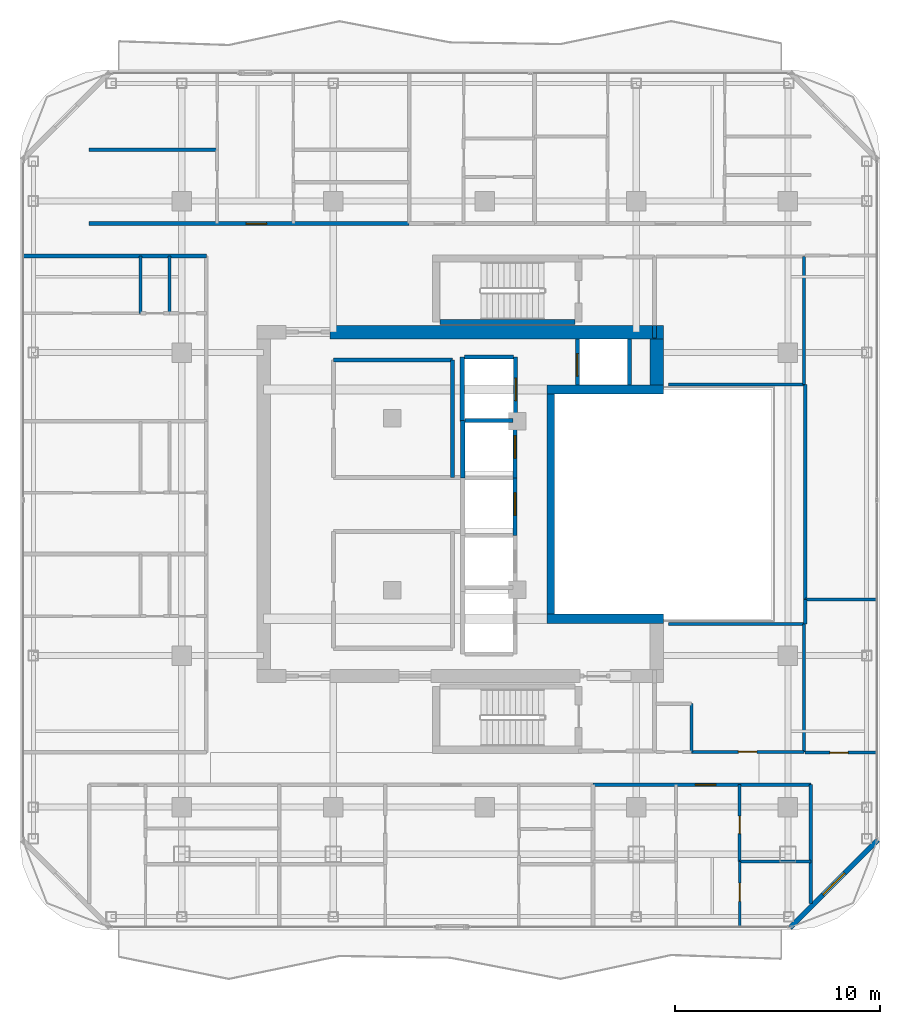
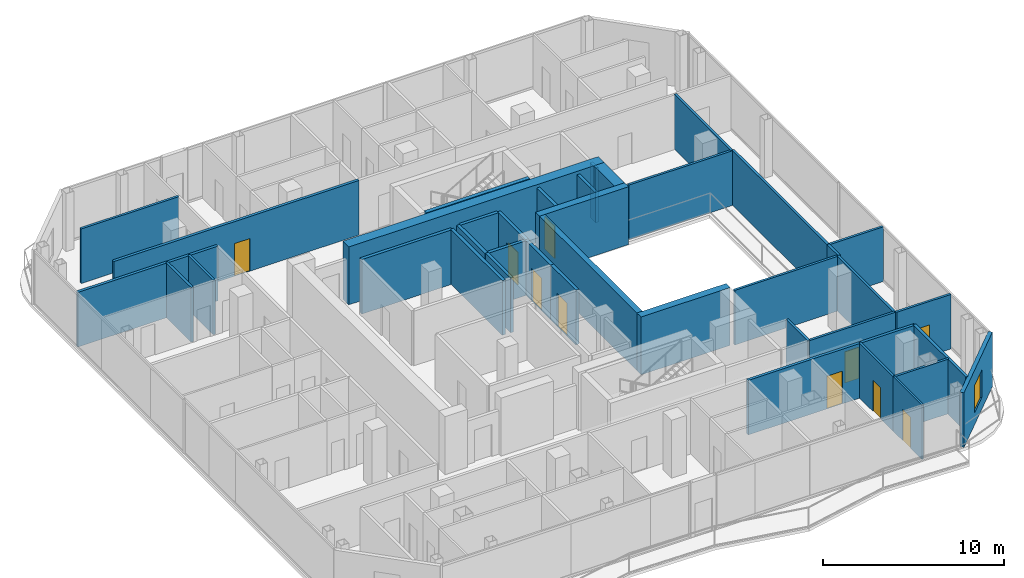
# One storey, part 18 of 23: 39 walls, 10 doors, 1 window, 11 openings.
"""IFC4 building model written with IfcOpenShell, lengths in metres."""

from ifc_helpers import new_model, si_unit, direction, frame, frame_2d, origin, place, context, subcontext, project, spatial, rectangle, extrude, material, layer, layer_set, type_object, element, fill, save


model = new_model("IFC4")

# Units and contexts
model_context = context("Model", 3, precision=1e-05, world=origin(), true_north=direction((0.0, 1.0)))
body_context = subcontext(model_context, "Body", "Model", "MODEL_VIEW")
ifc_project = project(units=[si_unit("LENGTHUNIT", "METRE"), si_unit("AREAUNIT", "SQUARE_METRE"), si_unit("VOLUMEUNIT", "CUBIC_METRE"), si_unit("PLANEANGLEUNIT", "RADIAN"), si_unit("MASSUNIT", "GRAM", prefix="KILO")], contexts=[model_context])

# Site, building, storey
site_placement = place(None, origin())
site = spatial("IfcSite", under=ifc_project, at=site_placement, CompositionType="ELEMENT")
building_placement = place(site_placement, origin())
building = spatial("IfcBuilding", under=site, at=building_placement, Name="Khorvyn Point Tower", CompositionType="ELEMENT")
storey_placement = place(building_placement, frame((0.0, 0.0, 297.60009765625)))
storey = spatial("IfcBuildingStorey", under=building, at=storey_placement, Name="L73", CompositionType="ELEMENT", Elevation=297.60009765625)

# Wall, opening, door
ifc_material_1 = material(Name="Double acoustic gypsum on twin steel stud", Category="steel")
ifc_layer_1 = layer(ifc_material_1, 0.179931640625)
ifc_layer_set_1 = layer_set([ifc_layer_1], Name="Acoustic Double-Stud Apartment Demising Wall 180")
wall_type_1 = type_object("IfcWallType", Name="Acoustic Double-Stud Apartment Demising Wall 180", PredefinedType="PARTITIONING", material=ifc_layer_set_1)
wall_1_placement = place(storey_placement, frame((-19.320068359375, 13.699951171875, 0.0), z_axis=(0.0, 0.0, 1.0), x_axis=(1.0, 0.0, 0.0)))
wall_1 = element("IfcWall", 1, at=wall_1_placement, inside=storey, type_object=wall_type_1, Name="Wall", PredefinedType="PARTITIONING", context=body_context, shape_type="SweptSolid", body=[
    extrude(rectangle(XDim=15.623046875, YDim=0.179931640625, at=frame_2d((7.8115234375, 0.0))), origin(), (0.0, 0.0, 1.0), 3.679931640625),
])
opening_1_placement = place(wall_1_placement, frame((7.669189453125, 0.0, 0.0)))
opening_1 = element("IfcOpeningElement", 2, at=opening_1_placement, cuts=wall_1, Name="Opening ID-AP60", PredefinedType="OPENING", context=body_context, shape_type="SweptSolid", body=[
    extrude(rectangle(XDim=1.0, YDim=2.199951171875, at=frame_2d((0.5, 1.10009765625))), frame((0.0, 0.099853515625, 0.0), z_axis=(0.0, -1.0, 0.0), x_axis=(1.0, 0.0, 0.0)), (0.0, 0.0, 1.0), 0.199951171875),
])
ifc_material_2 = material(Name="Engineered hardwood fire-rated leaf", Category="wood")
door_type_1 = type_object("IfcDoorType", Name="Acoustic Solid-Core Timber Apartment Entrance Door 1000x2200", OperationType="NOTDEFINED", PredefinedType="DOOR", material=ifc_material_2)
door_1_placement = place(opening_1_placement, origin())
door_1 = element("IfcDoor", 3, at=door_1_placement, inside=storey, type_object=door_type_1, Name="Door", OperationType="SINGLE_SWING_RIGHT", OverallHeight=2.199951171875, OverallWidth=1.0, PredefinedType="DOOR", context=body_context, shape_type="SweptSolid", body=[
    extrude(rectangle(XDim=1.0, YDim=2.199951171875, at=frame_2d((0.5, 1.10009765625))), frame((0.0, 0.02490234375, 0.0), z_axis=(0.0, -1.0, 0.0), x_axis=(1.0, 0.0, 0.0)), (0.0, 0.0, 1.0), 0.050048828125),
])
fill(opening_1, door_1)

wall_2_placement = place(storey_placement, frame((5.282958984375, -13.699951171875, 0.0), z_axis=(0.0, 0.0, 1.0), x_axis=(1.0, 0.0, 0.0)))
wall_2 = element("IfcWall", 4, at=wall_2_placement, inside=storey, type_object=wall_type_1, Name="Wall", PredefinedType="PARTITIONING", context=body_context, shape_type="SweptSolid", body=[
    extrude(rectangle(XDim=10.636962890625, YDim=0.179931640625, at=frame_2d((5.318359375, 0.0))), origin(), (0.0, 0.0, 1.0), 3.679931640625),
])
opening_2_placement = place(wall_2_placement, frame((4.997802734375, 0.0, 0.0)))
opening_2 = element("IfcOpeningElement", 5, at=opening_2_placement, cuts=wall_2, Name="Opening ID-AP60", PredefinedType="OPENING", context=body_context, shape_type="SweptSolid", body=[
    extrude(rectangle(XDim=1.0, YDim=2.199951171875, at=frame_2d((0.5, 1.10009765625))), frame((0.0, 0.099853515625, 0.0), z_axis=(0.0, -1.0, 0.0), x_axis=(1.0, 0.0, 0.0)), (0.0, 0.0, 1.0), 0.199951171875),
])
door_2_placement = place(opening_2_placement, origin())
door_2 = element("IfcDoor", 6, at=door_2_placement, inside=storey, type_object=door_type_1, Name="Door", OperationType="SINGLE_SWING_RIGHT", OverallHeight=2.199951171875, OverallWidth=1.0, PredefinedType="DOOR", context=body_context, shape_type="SweptSolid", body=[
    extrude(rectangle(XDim=1.0, YDim=2.199951171875, at=frame_2d((0.5, 1.10009765625))), frame((0.0, 0.02490234375, 0.0), z_axis=(0.0, -1.0, 0.0), x_axis=(1.0, 0.0, 0.0)), (0.0, 0.0, 1.0), 0.050048828125),
])
fill(opening_2, door_2)

# Walls
wall_3_placement = place(storey_placement, frame((15.919921875, -19.510009765625, 0.0), z_axis=(0.0, 0.0, 1.0), x_axis=(0.0, 1.0, 0.0)))
element("IfcWall", 7, at=wall_3_placement, inside=storey, type_object=wall_type_1, Name="Wall", PredefinedType="PARTITIONING", context=body_context, shape_type="SweptSolid", body=[
    extrude(rectangle(XDim=5.81005859375, YDim=0.179931640625, at=frame_2d((2.905029296875, 0.0))), origin(), (0.0, 0.0, 1.0), 3.679931640625),
])
wall_4_placement = place(storey_placement, frame((-22.530029296875, 12.1201171875, 0.0), z_axis=(0.0, 0.0, 1.0), x_axis=(1.0, 0.0, 0.0)))
element("IfcWall", 8, at=wall_4_placement, inside=storey, type_object=wall_type_1, Name="Wall", PredefinedType="PARTITIONING", context=body_context, shape_type="SweptSolid", body=[
    extrude(rectangle(XDim=8.929931640625, YDim=0.179931640625, at=frame_2d((4.46484375, 0.0))), origin(), (0.0, 0.0, 1.0), 3.679931640625),
])

# Wall, opening, window
ifc_material_3 = material(Name="Pale anodised aluminium rainscreen on steel stud", Category="steel")
ifc_layer_2 = layer(ifc_material_3, 0.239990234375)
ifc_layer_set_2 = layer_set([ifc_layer_2], Name="Anodised Aluminium Insulated Corner Spandrel Wall 240")
wall_type_2 = type_object("IfcWallType", Name="Anodised Aluminium Insulated Corner Spandrel Wall 240", PredefinedType="SOLIDWALL", material=ifc_layer_set_2)
wall_5_placement = place(storey_placement, frame((19.1923828125, -16.40771484375, 0.0), z_axis=(0.0, 0.0, 1.0), x_axis=(-0.707106781187, -0.707106781187, 0.0)))
wall_5 = element("IfcWall", 9, at=wall_5_placement, inside=storey, type_object=wall_type_2, Name="L73 Rounded Corner Wall SE", PredefinedType="SOLIDWALL", context=body_context, shape_type="SweptSolid", body=[
    extrude(rectangle(XDim=6.059326171875, YDim=0.239990234375, at=frame_2d((3.02978515625, 0.0))), origin(), (0.0, 0.0, 1.0), 3.679931640625),
])
opening_3_placement = place(wall_5_placement, frame((2.27978515625, 0.0, 0.800048828125)))
opening_3 = element("IfcOpeningElement", 10, at=opening_3_placement, cuts=wall_5, Name="Opening WN-1518", PredefinedType="OPENING", context=body_context, shape_type="SweptSolid", body=[
    extrude(rectangle(XDim=1.5, YDim=1.85009765625, at=frame_2d((0.75, 0.925048828125))), frame((0.0, 0.1298828125, 0.0), z_axis=(0.0, -1.0, 0.0), x_axis=(1.0, 0.0, 0.0)), (0.0, 0.0, 1.0), 0.260009765625),
])
ifc_material_4 = material(Name="Anodised aluminium 6063-T6 and laminated Low-E glass", Category="aluminium")
window_type = type_object("IfcWindowType", Name="Anodised Aluminium Rounded-Corner Panoramic Window 1500x1850", PartitioningType="SINGLE_PANEL", PredefinedType="WINDOW", material=ifc_material_4)
window_placement = place(opening_3_placement, origin())
window = element("IfcWindow", 11, at=window_placement, inside=storey, type_object=window_type, Name="L73 Corner Panoramic Window SE", OverallHeight=1.85009765625, OverallWidth=1.5, PartitioningType="SINGLE_PANEL", PredefinedType="WINDOW", context=body_context, shape_type="SweptSolid", body=[
    extrude(rectangle(XDim=1.5, YDim=1.85009765625, at=frame_2d((0.75, 0.925048828125))), frame((0.0, 0.030029296875, 0.0), z_axis=(0.0, -1.0, 0.0), x_axis=(1.0, 0.0, 0.0)), (0.0, 0.0, 1.0), 0.06005859375),
])
fill(opening_3, window)

# Walls
ifc_material_5 = material(Name="Concrete C40/50", Category="concrete")
ifc_layer_3 = layer(ifc_material_5, 0.449951171875)
ifc_layer_set_3 = layer_set([ifc_layer_3], Name="Concrete C40/50 Core Shear Wall 450")
wall_type_3 = type_object("IfcWallType", Name="Concrete C40/50 Core Shear Wall 450", PredefinedType="SHEAR", material=ifc_layer_set_3)
for number, where, z_axis, x_axis, name in (
    (12, (3.044921875, -5.60009765625, 0.0), (0.0, 0.0, 1.0), (1.0, 0.0, 0.0), "Wall"),
    (13, (3.044921875, 5.60009765625, 0.0), (0.0, 0.0, 1.0), (1.0, 0.0, 0.0), "Wall"),
):
    element("IfcWall", number, at=place(storey_placement, frame(where, z_axis=z_axis, x_axis=x_axis)), inside=storey, type_object=wall_type_3, Name=name, PredefinedType="SHEAR", context=body_context, shape_type="SweptSolid", body=[
        extrude(rectangle(XDim=5.68017578125, YDim=0.449951171875, at=frame_2d((2.840087890625, 0.0))), origin(), (0.0, 0.0, 1.0), 3.89990234375),
    ])
ifc_layer_4 = layer(ifc_material_5, 0.64990234375)
ifc_layer_set_4 = layer_set([ifc_layer_4], Name="Concrete C40/50 Core Shear Wall 650")
wall_type_4 = type_object("IfcWallType", Name="Concrete C40/50 Core Shear Wall 650", PredefinedType="SHEAR", material=ifc_layer_set_4)
wall_6_placement = place(storey_placement, frame((-7.550048828125, 8.39990234375, 0.0), z_axis=(0.0, 0.0, 1.0), x_axis=(1.0, 0.0, 0.0)))
element("IfcWall", 14, at=wall_6_placement, inside=storey, type_object=wall_type_4, Name="Wall", PredefinedType="SHEAR", context=body_context, shape_type="SweptSolid", body=[
    extrude(rectangle(XDim=16.275146484375, YDim=0.64990234375, at=frame_2d((8.1376953125, 0.0))), origin(), (0.0, 0.0, 1.0), 3.89990234375),
])
wall_7_placement = place(storey_placement, frame((8.39990234375, 5.824951171875, 0.0), z_axis=(0.0, 0.0, 1.0), x_axis=(0.0, 1.0, 0.0)))
element("IfcWall", 15, at=wall_7_placement, inside=storey, type_object=wall_type_4, Name="Wall", PredefinedType="SHEAR", context=body_context, shape_type="SweptSolid", body=[
    extrude(rectangle(XDim=2.25, YDim=0.64990234375, at=frame_2d((1.125, 0.0))), origin(), (0.0, 0.0, 1.0), 3.89990234375),
])
ifc_layer_5 = layer(ifc_material_5, 0.199951171875)
ifc_layer_set_5 = layer_set([ifc_layer_5], Name="Concrete C40/50 Fire-Lobby Compartment Wall 200")
wall_type_5 = type_object("IfcWallType", Name="Concrete C40/50 Fire-Lobby Compartment Wall 200", PredefinedType="SOLIDWALL", material=ifc_layer_set_5)
wall_8_placement = place(storey_placement, frame((-1.580078125, 1.300048828125, 0.0), z_axis=(0.0, 0.0, 1.0), x_axis=(0.0, 1.0, 0.0)))
element("IfcWall", 16, at=wall_8_placement, inside=storey, type_object=wall_type_5, Name="Wall", PredefinedType="SOLIDWALL", context=body_context, shape_type="SweptSolid", body=[
    extrude(rectangle(XDim=5.739990234375, YDim=0.199951171875, at=frame_2d((2.8701171875, 0.0))), origin(), (0.0, 0.0, 1.0), 3.679931640625),
])
wall_9_placement = place(storey_placement, frame((-7.3798828125, 7.0400390625, 0.0), z_axis=(0.0, 0.0, 1.0), x_axis=(1.0, 0.0, 0.0)))
element("IfcWall", 17, at=wall_9_placement, inside=storey, type_object=wall_type_5, Name="Wall", PredefinedType="SOLIDWALL", context=body_context, shape_type="SweptSolid", body=[
    extrude(rectangle(XDim=5.7998046875, YDim=0.199951171875, at=frame_2d((2.89990234375, 0.0))), origin(), (0.0, 0.0, 1.0), 3.679931640625),
])
wall_10_placement = place(storey_placement, frame((8.280029296875, 8.10009765625, 0.0), z_axis=(0.0, 0.0, 1.0), x_axis=(0.0, 1.0, 0.0)))
element("IfcWall", 18, at=wall_10_placement, inside=storey, type_object=wall_type_5, Name="Wall", PredefinedType="SOLIDWALL", context=body_context, shape_type="SweptSolid", body=[
    extrude(rectangle(XDim=0.625, YDim=0.199951171875, at=frame_2d((0.3125, 0.0))), origin(), (0.0, 0.0, 1.0), 3.679931640625),
])
ifc_layer_6 = layer(ifc_material_5, 0.25)
ifc_layer_set_6 = layer_set([ifc_layer_6], Name="Concrete C40/50 Stair Inner Cheek Structural Wall 250")
wall_type_6 = type_object("IfcWallType", Name="Concrete C40/50 Stair Inner Cheek Structural Wall 250", PredefinedType="SHEAR", material=ifc_layer_set_6)
wall_11_placement = place(storey_placement, frame((-2.199951171875, 8.89990234375, 0.0), z_axis=(0.0, 0.0, 1.0), x_axis=(1.0, 0.0, 0.0)))
element("IfcWall", 19, at=wall_11_placement, inside=storey, type_object=wall_type_6, Name="Wall", PredefinedType="SHEAR", context=body_context, shape_type="SweptSolid", body=[
    extrude(rectangle(XDim=6.599853515625, YDim=0.25, at=frame_2d((3.2998046875, 0.0))), origin(), (0.0, 0.0, 1.0), 3.89990234375),
])
ifc_layer_7 = layer(ifc_material_5, 0.35009765625)
ifc_layer_set_7 = layer_set([ifc_layer_7], Name="Concrete C40/50 Stair Shaft Structural Wall 350")
wall_type_7 = type_object("IfcWallType", Name="Concrete C40/50 Stair Shaft Structural Wall 350", PredefinedType="SHEAR", material=ifc_layer_set_7)
wall_12_placement = place(storey_placement, frame((3.219970703125, -5.375, 0.0), z_axis=(0.0, 0.0, 1.0), x_axis=(0.0, 1.0, 0.0)))
element("IfcWall", 20, at=wall_12_placement, inside=storey, type_object=wall_type_7, Name="Wall", PredefinedType="SHEAR", context=body_context, shape_type="SweptSolid", body=[
    extrude(rectangle(XDim=10.75, YDim=0.35009765625, at=frame_2d((5.375, 0.0))), origin(), (0.0, 0.0, 1.0), 3.89990234375),
])

# Wall, opening, door
ifc_layer_8 = layer(ifc_material_5, 0.199951171875)
ifc_layer_set_8 = layer_set([ifc_layer_8], Name="Concrete C40/50 Structural Hoistway and Stair Shaft Wall 200")
wall_type_8 = type_object("IfcWallType", Name="Concrete C40/50 Structural Hoistway and Stair Shaft Wall 200", PredefinedType="SHEAR", material=ifc_layer_set_8)
wall_13_placement = place(storey_placement, frame((1.47509765625, -1.52490234375, 0.0), z_axis=(0.0, 0.0, 1.0), x_axis=(0.0, 1.0, 0.0)))
wall_13 = element("IfcWall", 21, at=wall_13_placement, inside=storey, type_object=wall_type_8, Name="Wall", PredefinedType="SHEAR", context=body_context, shape_type="SweptSolid", body=[
    extrude(rectangle(XDim=2.7998046875, YDim=0.199951171875, at=frame_2d((1.39990234375, 0.0))), origin(), (0.0, 0.0, 1.0), 3.679931640625),
])
opening_4_placement = place(wall_13_placement, frame((0.97509765625, 0.0, 0.0)))
opening_4 = element("IfcOpeningElement", 22, at=opening_4_placement, cuts=wall_13, Name="Opening LD-1122", PredefinedType="OPENING", context=body_context, shape_type="SweptSolid", body=[
    extrude(rectangle(XDim=1.10009765625, YDim=2.199951171875, at=frame_2d((0.550048828125, 1.10009765625))), frame((0.0, 0.10986328125, 0.0), z_axis=(0.0, -1.0, 0.0), x_axis=(1.0, 0.0, 0.0)), (0.0, 0.0, 1.0), 0.219970703125),
])
ifc_material_6 = material(Name="Stainless steel 1.4301", Category="steel")
door_type_2 = type_object("IfcDoorType", Name="Stainless Steel Automatic Sliding Lift Landing Door 1100x2200", OperationType="SLIDING_TO_LEFT", PredefinedType="DOOR", material=ifc_material_6)
door_3_placement = place(opening_4_placement, origin())
door_3 = element("IfcDoor", 23, at=door_3_placement, inside=storey, type_object=door_type_2, Name="L73 RH-02 Sliding Lift Landing Door", OperationType="SLIDING_TO_LEFT", OverallHeight=2.199951171875, OverallWidth=1.10009765625, PredefinedType="DOOR", context=body_context, shape_type="SweptSolid", body=[
    extrude(rectangle(XDim=1.10009765625, YDim=2.199951171875, at=frame_2d((0.550048828125, 1.10009765625))), frame((0.0, 0.02490234375, 0.0), z_axis=(0.0, -1.0, 0.0), x_axis=(1.0, 0.0, 0.0)), (0.0, 0.0, 1.0), 0.050048828125),
])
fill(opening_4, door_3)

# Wall
wall_14_placement = place(storey_placement, frame((-1.074951171875, 1.27490234375, 0.0), z_axis=(0.0, 0.0, 1.0), x_axis=(0.0, 1.0, 0.0)))
element("IfcWall", 24, at=wall_14_placement, inside=storey, type_object=wall_type_8, Name="Wall", PredefinedType="SHEAR", context=body_context, shape_type="SweptSolid", body=[
    extrude(rectangle(XDim=2.800048828125, YDim=0.199951171875, at=frame_2d((1.39990234375, 0.0))), origin(), (0.0, 0.0, 1.0), 3.679931640625),
])

# Wall, opening, door
wall_15_placement = place(storey_placement, frame((1.47509765625, 1.27490234375, 0.0), z_axis=(0.0, 0.0, 1.0), x_axis=(0.0, 1.0, 0.0)))
wall_15 = element("IfcWall", 25, at=wall_15_placement, inside=storey, type_object=wall_type_8, Name="Wall", PredefinedType="SHEAR", context=body_context, shape_type="SweptSolid", body=[
    extrude(rectangle(XDim=2.800048828125, YDim=0.199951171875, at=frame_2d((1.39990234375, 0.0))), origin(), (0.0, 0.0, 1.0), 3.679931640625),
])
opening_5_placement = place(wall_15_placement, frame((0.97509765625, 0.0, 0.0)))
opening_5 = element("IfcOpeningElement", 26, at=opening_5_placement, cuts=wall_15, Name="Opening LD-1122", PredefinedType="OPENING", context=body_context, shape_type="SweptSolid", body=[
    extrude(rectangle(XDim=1.10009765625, YDim=2.199951171875, at=frame_2d((0.550048828125, 1.10009765625))), frame((0.0, 0.10986328125, 0.0), z_axis=(0.0, -1.0, 0.0), x_axis=(1.0, 0.0, 0.0)), (0.0, 0.0, 1.0), 0.219970703125),
])
door_4_placement = place(opening_5_placement, origin())
door_4 = element("IfcDoor", 27, at=door_4_placement, inside=storey, type_object=door_type_2, Name="L73 RH-03 Sliding Lift Landing Door", OperationType="SLIDING_TO_LEFT", OverallHeight=2.199951171875, OverallWidth=1.10009765625, PredefinedType="DOOR", context=body_context, shape_type="SweptSolid", body=[
    extrude(rectangle(XDim=1.10009765625, YDim=2.199951171875, at=frame_2d((0.550048828125, 1.10009765625))), frame((0.0, 0.02490234375, 0.0), z_axis=(0.0, -1.0, 0.0), x_axis=(1.0, 0.0, 0.0)), (0.0, 0.0, 1.0), 0.050048828125),
])
fill(opening_5, door_4)

# Walls
wall_16_placement = place(storey_placement, frame((-0.97509765625, 4.074951171875, 0.0), z_axis=(0.0, 0.0, 1.0), x_axis=(1.0, 0.0, 0.0)))
element("IfcWall", 28, at=wall_16_placement, inside=storey, type_object=wall_type_8, Name="Wall", PredefinedType="SHEAR", context=body_context, shape_type="SweptSolid", body=[
    extrude(rectangle(XDim=2.35009765625, YDim=0.199951171875, at=frame_2d((1.175048828125, 0.0))), origin(), (0.0, 0.0, 1.0), 3.679931640625),
])
wall_17_placement = place(storey_placement, frame((-1.10009765625, 4.02490234375, 0.0), z_axis=(0.0, 0.0, 1.0), x_axis=(0.0, 1.0, 0.0)))
element("IfcWall", 29, at=wall_17_placement, inside=storey, type_object=wall_type_8, Name="Wall", PredefinedType="SHEAR", context=body_context, shape_type="SweptSolid", body=[
    extrude(rectangle(XDim=3.150146484375, YDim=0.199951171875, at=frame_2d((1.5751953125, 0.0))), origin(), (0.0, 0.0, 1.0), 3.679931640625),
])

# Wall, opening, door
wall_18_placement = place(storey_placement, frame((1.5, 4.02490234375, 0.0), z_axis=(0.0, 0.0, 1.0), x_axis=(0.0, 1.0, 0.0)))
wall_18 = element("IfcWall", 30, at=wall_18_placement, inside=storey, type_object=wall_type_8, Name="Wall", PredefinedType="SHEAR", context=body_context, shape_type="SweptSolid", body=[
    extrude(rectangle(XDim=3.150146484375, YDim=0.199951171875, at=frame_2d((1.5751953125, 0.0))), origin(), (0.0, 0.0, 1.0), 3.679931640625),
])
opening_6_placement = place(wall_18_placement, frame((1.02490234375, 0.0, 0.0)))
opening_6 = element("IfcOpeningElement", 31, at=opening_6_placement, cuts=wall_18, Name="Opening LD-1122", PredefinedType="OPENING", context=body_context, shape_type="SweptSolid", body=[
    extrude(rectangle(XDim=1.10009765625, YDim=2.199951171875, at=frame_2d((0.550048828125, 1.10009765625))), frame((0.0, 0.10986328125, 0.0), z_axis=(0.0, -1.0, 0.0), x_axis=(1.0, 0.0, 0.0)), (0.0, 0.0, 1.0), 0.219970703125),
])
door_5_placement = place(opening_6_placement, origin())
door_5 = element("IfcDoor", 32, at=door_5_placement, inside=storey, type_object=door_type_2, Name="L73 SV-01 Sliding Lift Landing Door", OperationType="SLIDING_TO_LEFT", OverallHeight=2.199951171875, OverallWidth=1.10009765625, PredefinedType="DOOR", context=body_context, shape_type="SweptSolid", body=[
    extrude(rectangle(XDim=1.10009765625, YDim=2.199951171875, at=frame_2d((0.550048828125, 1.10009765625))), frame((0.0, 0.02490234375, 0.0), z_axis=(0.0, -1.0, 0.0), x_axis=(1.0, 0.0, 0.0)), (0.0, 0.0, 1.0), 0.050048828125),
])
fill(opening_6, door_5)

# Wall
wall_19_placement = place(storey_placement, frame((-1.0, 7.175048828125, 0.0), z_axis=(0.0, 0.0, 1.0), x_axis=(1.0, 0.0, 0.0)))
element("IfcWall", 33, at=wall_19_placement, inside=storey, type_object=wall_type_8, Name="Wall", PredefinedType="SHEAR", context=body_context, shape_type="SweptSolid", body=[
    extrude(rectangle(XDim=2.39990234375, YDim=0.199951171875, at=frame_2d((1.199951171875, 0.0))), origin(), (0.0, 0.0, 1.0), 3.679931640625),
])

# Wall, opening, door
wall_20_placement = place(storey_placement, frame((4.52490234375, 5.824951171875, 0.0), z_axis=(0.0, 0.0, 1.0), x_axis=(0.0, 1.0, 0.0)))
wall_20 = element("IfcWall", 34, at=wall_20_placement, inside=storey, type_object=wall_type_8, Name="Wall", PredefinedType="SHEAR", context=body_context, shape_type="SweptSolid", body=[
    extrude(rectangle(XDim=2.25, YDim=0.199951171875, at=frame_2d((1.125, 0.0))), origin(), (0.0, 0.0, 1.0), 3.679931640625),
])
opening_7_placement = place(wall_20_placement, frame((0.425048828125, 0.0, 0.0)))
opening_7 = element("IfcOpeningElement", 35, at=opening_7_placement, cuts=wall_20, Name="Opening LD-1122", PredefinedType="OPENING", context=body_context, shape_type="SweptSolid", body=[
    extrude(rectangle(XDim=1.10009765625, YDim=2.199951171875, at=frame_2d((0.550048828125, 1.10009765625))), frame((0.0, 0.10986328125, 0.0), z_axis=(0.0, -1.0, 0.0), x_axis=(1.0, 0.0, 0.0)), (0.0, 0.0, 1.0), 0.219970703125),
])
door_6_placement = place(opening_7_placement, origin())
door_6 = element("IfcDoor", 36, at=door_6_placement, inside=storey, type_object=door_type_2, Name="L73 FF-02 Sliding Lift Landing Door", OperationType="SLIDING_TO_LEFT", OverallHeight=2.199951171875, OverallWidth=1.10009765625, PredefinedType="DOOR", context=body_context, shape_type="SweptSolid", body=[
    extrude(rectangle(XDim=1.10009765625, YDim=2.199951171875, at=frame_2d((0.550048828125, 1.10009765625))), frame((0.0, 0.02490234375, 0.0), z_axis=(0.0, -1.0, 0.0), x_axis=(1.0, 0.0, 0.0)), (0.0, 0.0, 1.0), 0.050048828125),
])
fill(opening_7, door_6)

# Wall
wall_21_placement = place(storey_placement, frame((7.074951171875, 5.824951171875, 0.0), z_axis=(0.0, 0.0, 1.0), x_axis=(0.0, 1.0, 0.0)))
element("IfcWall", 37, at=wall_21_placement, inside=storey, type_object=wall_type_8, Name="Wall", PredefinedType="SHEAR", context=body_context, shape_type="SweptSolid", body=[
    extrude(rectangle(XDim=2.25, YDim=0.199951171875, at=frame_2d((1.125, 0.0))), origin(), (0.0, 0.0, 1.0), 3.679931640625),
])

# Wall, opening, door
ifc_material_7 = material(Name="Gypsum plasterboard on steel stud", Category="steel")
ifc_layer_9 = layer(ifc_material_7, 0.1201171875)
ifc_layer_set_9 = layer_set([ifc_layer_9], Name="Gypsum Acoustic Stud Room Partition Wall 120")
wall_type_9 = type_object("IfcWallType", Name="Gypsum Acoustic Stud Room Partition Wall 120", PredefinedType="PARTITIONING", material=ifc_layer_set_9)
wall_22_placement = place(storey_placement, frame((12.446044921875, -20.6298828125, 0.0), z_axis=(0.0, 0.0, 1.0), x_axis=(0.0, 1.0, 0.0)))
wall_22 = element("IfcWall", 38, at=wall_22_placement, inside=storey, type_object=wall_type_9, Name="Wall", PredefinedType="PARTITIONING", context=body_context, shape_type="SweptSolid", body=[
    extrude(rectangle(XDim=3.1689453125, YDim=0.1201171875, at=frame_2d((1.58447265625, 0.0))), origin(), (0.0, 0.0, 1.0), 3.679931640625),
])
opening_8_placement = place(wall_22_placement, frame((1.22314453125, 0.0, 0.0)))
opening_8 = element("IfcOpeningElement", 39, at=opening_8_placement, cuts=wall_22, Name="Opening ID-RM90", PredefinedType="OPENING", context=body_context, shape_type="SweptSolid", body=[
    extrude(rectangle(XDim=0.89990234375, YDim=2.10009765625, at=frame_2d((0.449951171875, 1.050048828125))), frame((0.0, 0.070068359375, 0.0), z_axis=(0.0, -1.0, 0.0), x_axis=(1.0, 0.0, 0.0)), (0.0, 0.0, 1.0), 0.14013671875),
])
ifc_material_8 = material(Name="Engineered oak veneer timber", Category="wood")
door_type_3 = type_object("IfcDoorType", Name="Flush Engineered Timber Room Door 900x2100", OperationType="NOTDEFINED", PredefinedType="DOOR", material=ifc_material_8)
door_7_placement = place(opening_8_placement, origin())
door_7 = element("IfcDoor", 40, at=door_7_placement, inside=storey, type_object=door_type_3, Name="Door", OperationType="SINGLE_SWING_RIGHT", OverallHeight=2.10009765625, OverallWidth=0.89990234375, PredefinedType="DOOR", context=body_context, shape_type="SweptSolid", body=[
    extrude(rectangle(XDim=0.89990234375, YDim=2.10009765625, at=frame_2d((0.449951171875, 1.050048828125))), frame((0.0, 0.02490234375, 0.0), z_axis=(0.0, -1.0, 0.0), x_axis=(1.0, 0.0, 0.0)), (0.0, 0.0, 1.0), 0.050048828125),
])
fill(opening_8, door_7)

ifc_material_9 = material(Name="Moisture-resistant gypsum and cement board", Category="gypsum")
ifc_layer_10 = layer(ifc_material_9, 0.14990234375)
ifc_layer_set_10 = layer_set([ifc_layer_10], Name="Moisture-Resistant Wet-Room Partition Wall 150")
wall_type_10 = type_object("IfcWallType", Name="Moisture-Resistant Wet-Room Partition Wall 150", PredefinedType="PARTITIONING", material=ifc_layer_set_10)
wall_23_placement = place(storey_placement, frame((10.10009765625, -12.10009765625, 0.0), z_axis=(0.0, 0.0, 1.0), x_axis=(1.0, 0.0, 0.0)))
wall_23 = element("IfcWall", 41, at=wall_23_placement, inside=storey, type_object=wall_type_10, Name="Wall", PredefinedType="PARTITIONING", context=body_context, shape_type="SweptSolid", body=[
    extrude(rectangle(XDim=5.47998046875, YDim=0.14990234375, at=frame_2d((2.739990234375, 0.0))), origin(), (0.0, 0.0, 1.0), 3.679931640625),
])
opening_9_placement = place(wall_23_placement, frame((2.2900390625, 0.0, 0.0)))
opening_9 = element("IfcOpeningElement", 42, at=opening_9_placement, cuts=wall_23, Name="Opening ID-RM90", PredefinedType="OPENING", context=body_context, shape_type="SweptSolid", body=[
    extrude(rectangle(XDim=0.89990234375, YDim=2.10009765625, at=frame_2d((0.449951171875, 1.050048828125))), frame((0.0, 0.0849609375, 0.0), z_axis=(0.0, -1.0, 0.0), x_axis=(1.0, 0.0, 0.0)), (0.0, 0.0, 1.0), 0.169921875),
])
door_8_placement = place(opening_9_placement, origin())
door_8 = element("IfcDoor", 43, at=door_8_placement, inside=storey, type_object=door_type_3, Name="Door", OperationType="SINGLE_SWING_RIGHT", OverallHeight=2.10009765625, OverallWidth=0.89990234375, PredefinedType="DOOR", context=body_context, shape_type="SweptSolid", body=[
    extrude(rectangle(XDim=0.89990234375, YDim=2.10009765625, at=frame_2d((0.449951171875, 1.050048828125))), frame((0.0, 0.02490234375, 0.0), z_axis=(0.0, -1.0, 0.0), x_axis=(1.0, 0.0, 0.0)), (0.0, 0.0, 1.0), 0.050048828125),
])
fill(opening_9, door_8)

wall_24_placement = place(storey_placement, frame((12.446044921875, -17.4609375, 0.0), z_axis=(0.0, 0.0, 1.0), x_axis=(0.0, 1.0, 0.0)))
wall_24 = element("IfcWall", 44, at=wall_24_placement, inside=storey, type_object=wall_type_10, Name="Wall", PredefinedType="PARTITIONING", context=body_context, shape_type="SweptSolid", body=[
    extrude(rectangle(XDim=3.760986328125, YDim=0.14990234375, at=frame_2d((1.88037109375, 0.0))), origin(), (0.0, 0.0, 1.0), 3.679931640625),
])
opening_10_placement = place(wall_24_placement, frame((1.369140625, 0.0, 0.0)))
opening_10 = element("IfcOpeningElement", 45, at=opening_10_placement, cuts=wall_24, Name="Opening ID-WC85", PredefinedType="OPENING", context=body_context, shape_type="SweptSolid", body=[
    extrude(rectangle(XDim=0.85009765625, YDim=2.10009765625, at=frame_2d((0.425048828125, 1.050048828125))), frame((0.0, 0.0849609375, 0.0), z_axis=(0.0, -1.0, 0.0), x_axis=(1.0, 0.0, 0.0)), (0.0, 0.0, 1.0), 0.169921875),
])
ifc_material_10 = material(Name="High-pressure laminate on moisture-resistant core", Category="wood")
door_type_4 = type_object("IfcDoorType", Name="Moisture-Resistant Accessible Washroom Door 850x2100", OperationType="NOTDEFINED", PredefinedType="DOOR", material=ifc_material_10)
door_9_placement = place(opening_10_placement, origin())
door_9 = element("IfcDoor", 46, at=door_9_placement, inside=storey, type_object=door_type_4, Name="Door", OperationType="SINGLE_SWING_LEFT", OverallHeight=2.10009765625, OverallWidth=0.85009765625, PredefinedType="DOOR", context=body_context, shape_type="SweptSolid", body=[
    extrude(rectangle(XDim=0.85009765625, YDim=2.10009765625, at=frame_2d((0.425048828125, 1.050048828125))), frame((0.0, 0.02490234375, 0.0), z_axis=(0.0, -1.0, 0.0), x_axis=(1.0, 0.0, 0.0)), (0.0, 0.0, 1.0), 0.050048828125),
])
fill(opening_10, door_9)

wall_25_placement = place(storey_placement, frame((15.64990234375, -12.139892578125, 0.0), z_axis=(0.0, 0.0, 1.0), x_axis=(1.0, 0.0, 0.0)))
wall_25 = element("IfcWall", 47, at=wall_25_placement, inside=storey, type_object=wall_type_10, Name="Wall", PredefinedType="PARTITIONING", context=body_context, shape_type="SweptSolid", body=[
    extrude(rectangle(XDim=3.47021484375, YDim=0.14990234375, at=frame_2d((1.735107421875, 0.0))), origin(), (0.0, 0.0, 1.0), 3.679931640625),
])
opening_11_placement = place(wall_25_placement, frame((1.198486328125, 0.0, 0.0)))
opening_11 = element("IfcOpeningElement", 48, at=opening_11_placement, cuts=wall_25, Name="Opening ID-RM90", PredefinedType="OPENING", context=body_context, shape_type="SweptSolid", body=[
    extrude(rectangle(XDim=0.89990234375, YDim=2.10009765625, at=frame_2d((0.449951171875, 1.050048828125))), frame((0.0, 0.0849609375, 0.0), z_axis=(0.0, -1.0, 0.0), x_axis=(1.0, 0.0, 0.0)), (0.0, 0.0, 1.0), 0.169921875),
])
door_10_placement = place(opening_11_placement, origin())
door_10 = element("IfcDoor", 49, at=door_10_placement, inside=storey, type_object=door_type_3, Name="Door", OperationType="SINGLE_SWING_LEFT", OverallHeight=2.10009765625, OverallWidth=0.89990234375, PredefinedType="DOOR", context=body_context, shape_type="SweptSolid", body=[
    extrude(rectangle(XDim=0.89990234375, YDim=2.10009765625, at=frame_2d((0.449951171875, 1.050048828125))), frame((0.0, 0.02490234375, 0.0), z_axis=(0.0, -1.0, 0.0), x_axis=(1.0, 0.0, 0.0)), (0.0, 0.0, 1.0), 0.050048828125),
])
fill(opening_11, door_10)

# Walls
wall_26_placement = place(storey_placement, frame((10.10009765625, -12.10009765625, 0.0), z_axis=(0.0, 0.0, 1.0), x_axis=(0.0, 1.0, 0.0)))
element("IfcWall", 50, at=wall_26_placement, inside=storey, type_object=wall_type_10, Name="Wall", PredefinedType="PARTITIONING", context=body_context, shape_type="SweptSolid", body=[
    extrude(rectangle(XDim=2.35009765625, YDim=0.14990234375, at=frame_2d((1.175048828125, 0.0))), origin(), (0.0, 0.0, 1.0), 3.679931640625),
])
wall_27_placement = place(storey_placement, frame((15.580078125, -12.10009765625, 0.0), z_axis=(0.0, 0.0, 1.0), x_axis=(0.0, 1.0, 0.0)))
element("IfcWall", 51, at=wall_27_placement, inside=storey, type_object=wall_type_10, Name="Wall", PredefinedType="PARTITIONING", context=body_context, shape_type="SweptSolid", body=[
    extrude(rectangle(XDim=6.25, YDim=0.14990234375, at=frame_2d((3.125, 0.0))), origin(), (0.0, 0.0, 1.0), 3.679931640625),
])
wall_28_placement = place(storey_placement, frame((8.9599609375, -5.85009765625, 0.0), z_axis=(0.0, 0.0, 1.0), x_axis=(1.0, 0.0, 0.0)))
element("IfcWall", 52, at=wall_28_placement, inside=storey, type_object=wall_type_10, Name="Wall", PredefinedType="PARTITIONING", context=body_context, shape_type="SweptSolid", body=[
    extrude(rectangle(XDim=6.6201171875, YDim=0.14990234375, at=frame_2d((3.31005859375, 0.0))), origin(), (0.0, 0.0, 1.0), 3.679931640625),
])
wall_29_placement = place(storey_placement, frame((15.580078125, 5.85009765625, 0.0), z_axis=(0.0, 0.0, 1.0), x_axis=(0.0, 1.0, 0.0)))
element("IfcWall", 53, at=wall_29_placement, inside=storey, type_object=wall_type_10, Name="Wall", PredefinedType="PARTITIONING", context=body_context, shape_type="SweptSolid", body=[
    extrude(rectangle(XDim=6.25, YDim=0.14990234375, at=frame_2d((3.125, 0.0))), origin(), (0.0, 0.0, 1.0), 3.679931640625),
])
wall_30_placement = place(storey_placement, frame((8.9599609375, 5.85009765625, 0.0), z_axis=(0.0, 0.0, 1.0), x_axis=(1.0, 0.0, 0.0)))
element("IfcWall", 54, at=wall_30_placement, inside=storey, type_object=wall_type_10, Name="Wall", PredefinedType="PARTITIONING", context=body_context, shape_type="SweptSolid", body=[
    extrude(rectangle(XDim=6.6201171875, YDim=0.14990234375, at=frame_2d((3.31005859375, 0.0))), origin(), (0.0, 0.0, 1.0), 3.679931640625),
])
wall_31_placement = place(storey_placement, frame((-19.320068359375, 17.303955078125, 0.0), z_axis=(0.0, 0.0, 1.0), x_axis=(1.0, 0.0, 0.0)))
element("IfcWall", 55, at=wall_31_placement, inside=storey, type_object=wall_type_10, Name="Wall", PredefinedType="PARTITIONING", context=body_context, shape_type="SweptSolid", body=[
    extrude(rectangle(XDim=6.2490234375, YDim=0.14990234375, at=frame_2d((3.12451171875, 0.0))), origin(), (0.0, 0.0, 1.0), 3.679931640625),
])
wall_32_placement = place(storey_placement, frame((12.446044921875, -17.4609375, 0.0), z_axis=(0.0, 0.0, 1.0), x_axis=(1.0, 0.0, 0.0)))
element("IfcWall", 56, at=wall_32_placement, inside=storey, type_object=wall_type_10, Name="Wall", PredefinedType="PARTITIONING", context=body_context, shape_type="SweptSolid", body=[
    extrude(rectangle(XDim=3.473876953125, YDim=0.14990234375, at=frame_2d((1.73681640625, 0.0))), origin(), (0.0, 0.0, 1.0), 3.679931640625),
])
for number, where, z_axis, x_axis, name in (
    (57, (-15.408935546875, 9.320068359375, 0.0), (0.0, 0.0, 1.0), (0.0, 1.0, 0.0), "Wall"),
    (58, (-16.80908203125, 9.320068359375, 0.0), (0.0, 0.0, 1.0), (0.0, 1.0, 0.0), "Wall"),
):
    element("IfcWall", number, at=place(storey_placement, frame(where, z_axis=z_axis, x_axis=x_axis)), inside=storey, type_object=wall_type_10, Name=name, PredefinedType="PARTITIONING", context=body_context, shape_type="SweptSolid", body=[
        extrude(rectangle(XDim=2.800048828125, YDim=0.14990234375, at=frame_2d((1.39990234375, 0.0))), origin(), (0.0, 0.0, 1.0), 3.679931640625),
    ])
wall_33_placement = place(storey_placement, frame((15.64990234375, -5.85009765625, 0.0), z_axis=(0.0, 0.0, 1.0), x_axis=(0.0, 1.0, 0.0)))
element("IfcWall", 59, at=wall_33_placement, inside=storey, type_object=wall_type_10, Name="Wall", PredefinedType="PARTITIONING", context=body_context, shape_type="SweptSolid", body=[
    extrude(rectangle(XDim=1.2001953125, YDim=0.14990234375, at=frame_2d((0.60009765625, 0.0))), origin(), (0.0, 0.0, 1.0), 3.679931640625),
])
wall_34_placement = place(storey_placement, frame((15.64990234375, -4.64990234375, 0.0), z_axis=(0.0, 0.0, 1.0), x_axis=(0.0, 1.0, 0.0)))
element("IfcWall", 60, at=wall_34_placement, inside=storey, type_object=wall_type_10, Name="Wall", PredefinedType="PARTITIONING", context=body_context, shape_type="SweptSolid", body=[
    extrude(rectangle(XDim=10.5, YDim=0.14990234375, at=frame_2d((5.25, 0.0))), origin(), (0.0, 0.0, 1.0), 3.679931640625),
])
wall_35_placement = place(storey_placement, frame((15.64990234375, -4.64990234375, 0.0), z_axis=(0.0, 0.0, 1.0), x_axis=(1.0, 0.0, 0.0)))
element("IfcWall", 61, at=wall_35_placement, inside=storey, type_object=wall_type_10, Name="Wall", PredefinedType="PARTITIONING", context=body_context, shape_type="SweptSolid", body=[
    extrude(rectangle(XDim=3.47998046875, YDim=0.14990234375, at=frame_2d((1.739990234375, 0.0))), origin(), (0.0, 0.0, 1.0), 3.679931640625),
])

save(model, "model.ifc")
